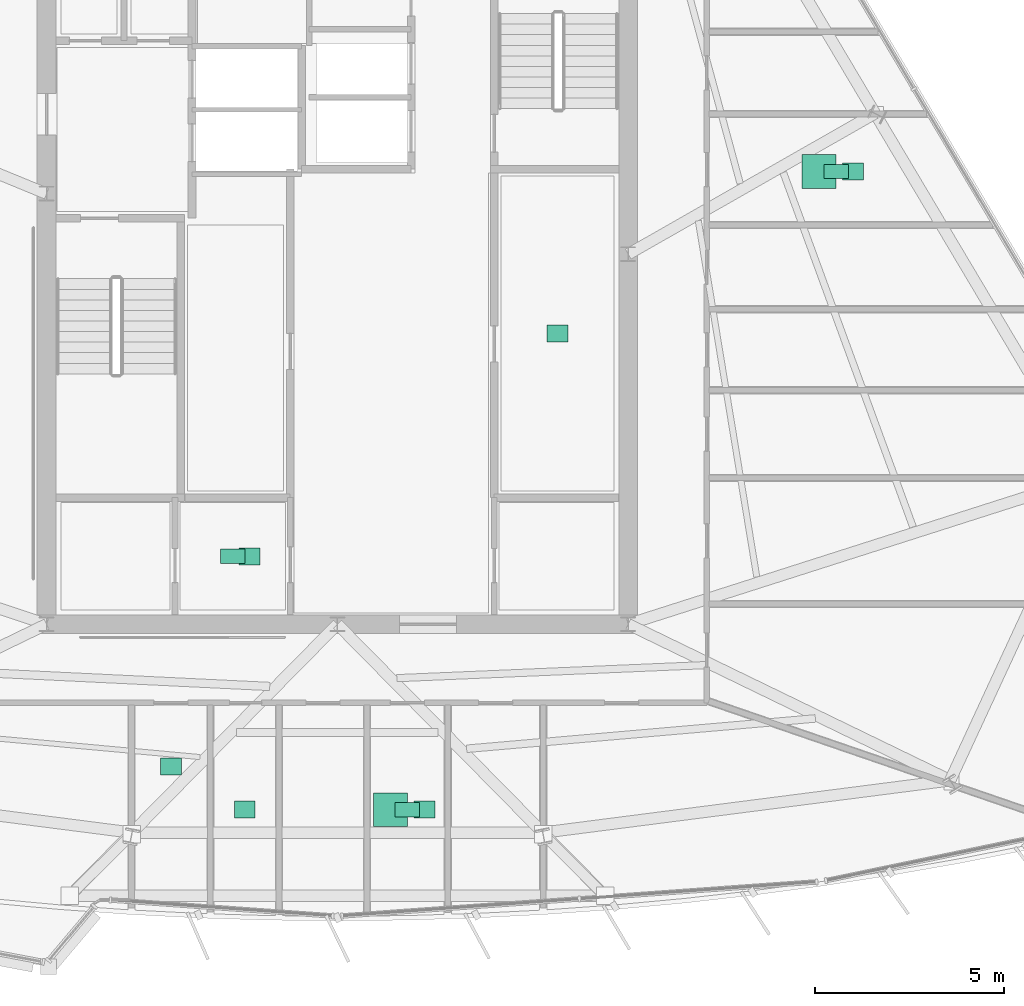
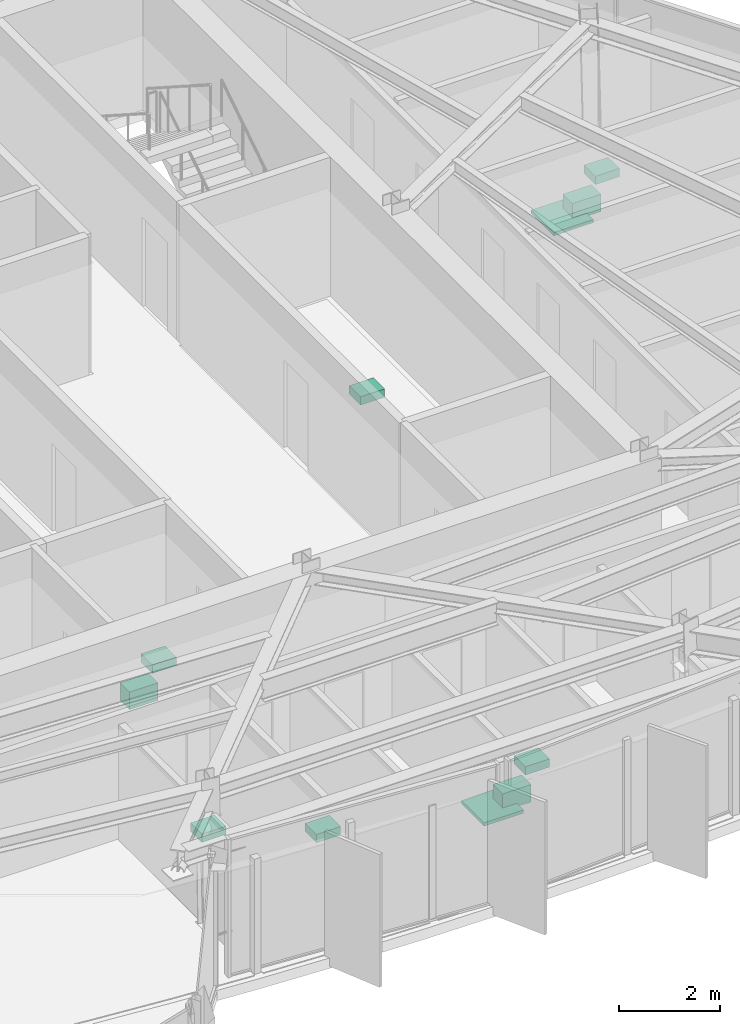
# One storey, part 14 of 14: 11 sanitary terminals.
"""IFC4 building model written with IfcOpenShell, lengths in metres."""

from ifc_helpers import new_model, si_unit, direction, frame, origin, origin_2d, place, context, subcontext, project, spatial, rectangle, extrude, material, type_object, element, save


model = new_model("IFC4")

# Units and contexts
model_context = context("Model", 3, precision=1e-05, world=origin(), true_north=direction((0.0, 1.0)))
body_context = subcontext(model_context, "Body", "Model", "MODEL_VIEW")
ifc_project = project(units=[si_unit("LENGTHUNIT", "METRE"), si_unit("AREAUNIT", "SQUARE_METRE"), si_unit("VOLUMEUNIT", "CUBIC_METRE"), si_unit("PLANEANGLEUNIT", "RADIAN"), si_unit("MASSUNIT", "GRAM", prefix="KILO")], contexts=[model_context])

# Site, building, storey
site_placement = place(None, origin())
site = spatial("IfcSite", under=ifc_project, at=site_placement, CompositionType="ELEMENT")
building_placement = place(site_placement, origin())
building = spatial("IfcBuilding", under=site, at=building_placement, Name="Savorim Split Tower", CompositionType="ELEMENT")
storey_placement = place(building_placement, frame((0.0, 0.0, 230.699951171875)))
storey = spatial("IfcBuildingStorey", under=building, at=storey_placement, Name="L61", CompositionType="ELEMENT", Elevation=230.699951171875)

# Sanitary terminals
ifc_material = material(Name="Vitreous China Sanitaryware")
sanitary_terminal_type_1 = type_object("IfcSanitaryTerminalType", Name="SAN-SHW-900", PredefinedType="SHOWER", material=ifc_material)
for number, where, z_axis, x_axis, name in (
    (1, (1.40380859375, -14.311767578125, 0.0), (0.0, 0.0, 1.0), (1.0, 0.0, 0.0), "L61 Shared Bathroom Shower"),
    (2, (12.7529296875, 2.589111328125, 0.0), (0.0, 0.0, 1.0), (1.0, 0.0, 0.0), "L61 Shared Bathroom Shower"),
):
    element("IfcSanitaryTerminal", number, at=place(storey_placement, frame(where, z_axis=z_axis, x_axis=x_axis)), inside=storey, type_object=sanitary_terminal_type_1, Name=name, PredefinedType="SHOWER", context=body_context, shape_type="SweptSolid", body=[
        extrude(rectangle(XDim=0.89990234375, YDim=0.89990234375, at=origin_2d()), origin(), (0.0, 0.0, 1.0), 0.080078125),
    ])
sanitary_terminal_type_2 = type_object("IfcSanitaryTerminalType", Name="SAN-WC-PAN", PredefinedType="TOILETPAN", material=ifc_material)
for number, where, z_axis, x_axis, name in (
    (3, (-2.77490234375, -7.60009765625, 0.0), (0.0, 0.0, 1.0), (1.0, 0.0, 0.0), "L61 Accessible WC WC Pan"),
    (4, (1.85400390625, -14.311767578125, 0.0), (0.0, 0.0, 1.0), (1.0, 0.0, 0.0), "L61 Shared Bathroom WC Pan"),
    (5, (13.202880859375, 2.589111328125, 0.0), (0.0, 0.0, 1.0), (1.0, 0.0, 0.0), "L61 Shared Bathroom WC Pan"),
):
    element("IfcSanitaryTerminal", number, at=place(storey_placement, frame(where, z_axis=z_axis, x_axis=x_axis)), inside=storey, type_object=sanitary_terminal_type_2, Name=name, PredefinedType="TOILETPAN", context=body_context, shape_type="SweptSolid", body=[
        extrude(rectangle(XDim=0.64990234375, YDim=0.3798828125, at=origin_2d()), origin(), (0.0, 0.0, 1.0), 0.419921875),
    ])
sanitary_terminal_type_3 = type_object("IfcSanitaryTerminalType", Name="SAN-WHB-550", PredefinedType="WASHHANDBASIN", material=ifc_material)
for number, where, z_axis, x_axis, name in (
    (6, (5.824951171875, -1.699951171875, 0.75), (0.0, 0.0, 1.0), (1.0, 0.0, 0.0), "L61 Community Laundry Room Utility Sink"),
    (7, (-2.324951171875, -7.60009765625, 0.72021484375), (0.0, 0.0, 1.0), (1.0, 0.0, 0.0), "L61 Accessible WC Washhand Basin"),
    (8, (-4.4072265625, -13.162841796875, 0.75), (0.0, 0.0, 1.0), (1.0, 0.0, 0.0), "L61 Shared Kitchen Utility Sink"),
    (9, (-2.455810546875, -14.304931640625, 0.75), (0.0, 0.0, 1.0), (1.0, 0.0, 0.0), "L61 Shared Kitchen Utility Sink"),
    (10, (2.303955078125, -14.311767578125, 0.72021484375), (0.0, 0.0, 1.0), (1.0, 0.0, 0.0), "L61 Shared Bathroom Washhand Basin"),
    (11, (13.653076171875, 2.589111328125, 0.72021484375), (0.0, 0.0, 1.0), (1.0, 0.0, 0.0), "L61 Shared Bathroom Washhand Basin"),
):
    element("IfcSanitaryTerminal", number, at=place(storey_placement, frame(where, z_axis=z_axis, x_axis=x_axis)), inside=storey, type_object=sanitary_terminal_type_3, Name=name, PredefinedType="WASHHANDBASIN", context=body_context, shape_type="SweptSolid", body=[
        extrude(rectangle(XDim=0.550048828125, YDim=0.449951171875, at=origin_2d()), origin(), (0.0, 0.0, 1.0), 0.199951171875),
    ])

save(model, "model.ifc")
